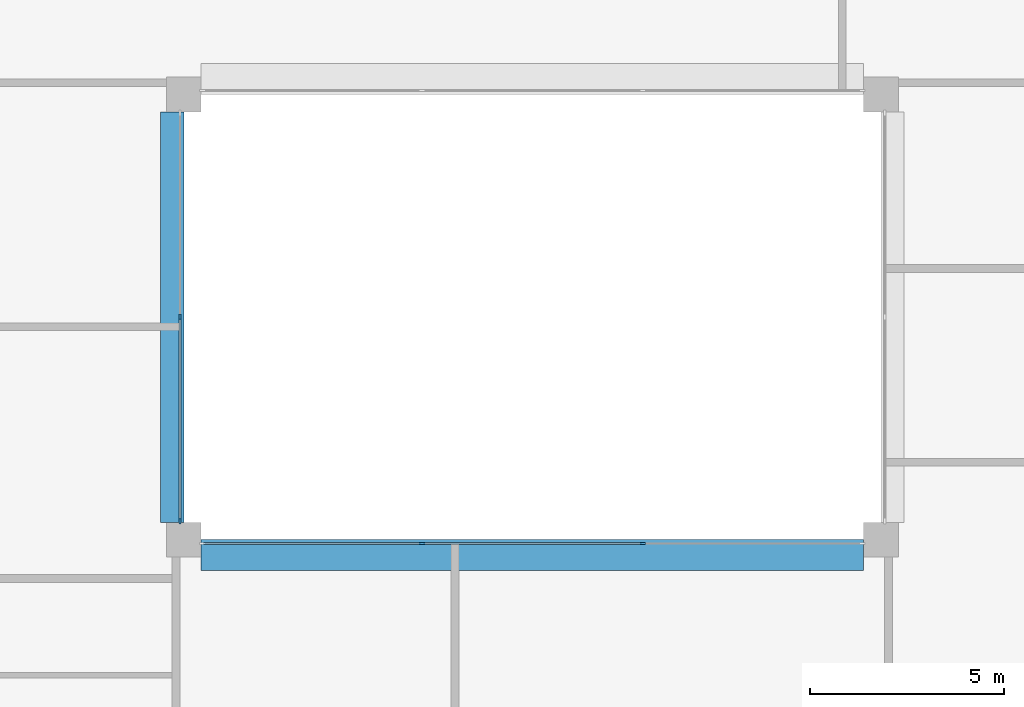
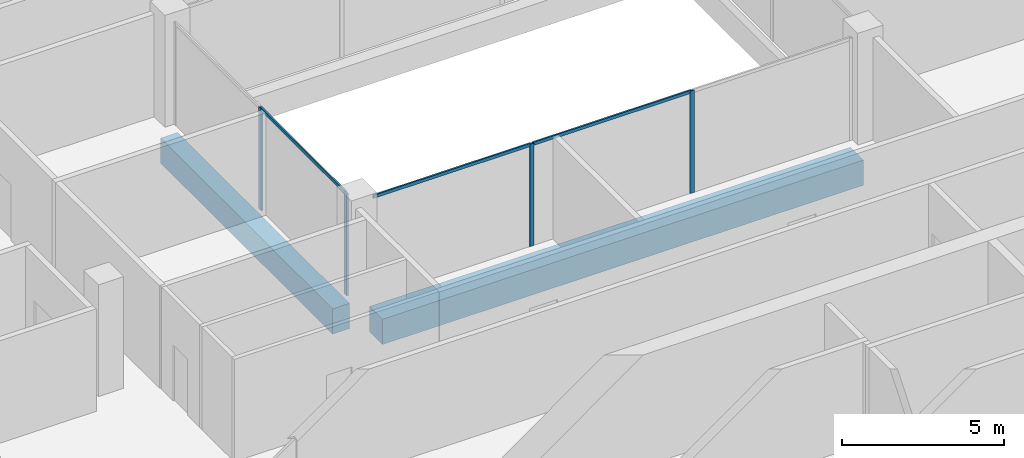
# One storey, part 3 of 15: 7 members, 2 beams, 2 elements without a shape of their own.
"""IFC4 building model written with IfcOpenShell, lengths in metres."""

from ifc_helpers import new_model, si_unit, direction, frame, origin, origin_2d, place, context, subcontext, project, spatial, rectangle, extrude, material, layer, layer_set, material_profile, profile_set, type_object, element, aggregate, save


model = new_model("IFC4")

# Units and contexts
model_context = context("Model", 3, precision=1e-05, world=origin(), true_north=direction((0.0, 1.0)))
body_context = subcontext(model_context, "Body", "Model", "MODEL_VIEW")
ifc_project = project(units=[si_unit("LENGTHUNIT", "METRE"), si_unit("AREAUNIT", "SQUARE_METRE"), si_unit("VOLUMEUNIT", "CUBIC_METRE"), si_unit("PLANEANGLEUNIT", "RADIAN"), si_unit("MASSUNIT", "GRAM", prefix="KILO")], contexts=[model_context])

# Site, building, storey
site_placement = place(None, origin())
site = spatial("IfcSite", under=ifc_project, at=site_placement, CompositionType="ELEMENT")
building_placement = place(site_placement, origin())
building = spatial("IfcBuilding", under=site, at=building_placement, Name="Brigalow Station Residences", CompositionType="ELEMENT")
storey_placement = place(building_placement, frame((0.0, 0.0, 235.800048828125)))
storey = spatial("IfcBuildingStorey", under=building, at=storey_placement, Name="L68", CompositionType="ELEMENT", Elevation=235.800048828125)

# Beams
ifc_material_1 = material(Name="Concrete C65", Category="concrete")
ifc_material_profile_1 = material_profile(ifc_material_1, rectangle(XDim=0.60009765625, YDim=0.949951171875, at=origin_2d()), Name="RC600x950")
ifc_profile_set_1 = profile_set([ifc_material_profile_1], Name="Concrete C65")
beam_type_1 = type_object("IfcBeamType", Name="ATRIUM EDGE GIRDER 600x950 C65", PredefinedType="BEAM", material=ifc_profile_set_1)
beam_1_placement = place(storey_placement, frame((26.699951171875, 24.449951171875, -0.824951171875), z_axis=(0.0, 1.0, 0.0), x_axis=(-1.0, 0.0, 0.0)))
element("IfcBeam", 1, at=beam_1_placement, inside=storey, type_object=beam_type_1, Name="ATRIUM EDGE GIRDER 3 L68", PredefinedType="BEAM", context=body_context, shape_type="SweptSolid", body=[
    extrude(rectangle(XDim=0.60009765625, YDim=0.949951171875, at=origin_2d()), origin(), (0.0, 0.0, 1.0), 10.60009765625),
])
ifc_material_2 = material(Name="Concrete C65", Category="concrete")
ifc_material_profile_2 = material_profile(ifc_material_2, rectangle(XDim=0.800048828125, YDim=0.949951171875, at=origin_2d()), Name="RC800x950")
ifc_profile_set_2 = profile_set([ifc_material_profile_2], Name="Concrete C65")
beam_type_2 = type_object("IfcBeamType", Name="ATRIUM EDGE GIRDER OVER 13.5 M SPAN 800x950 C65", PredefinedType="BEAM", material=ifc_profile_set_2)
beam_2_placement = place(storey_placement, frame((27.449951171875, 23.60009765625, -0.824951171875), z_axis=(1.0, 0.0, 0.0), x_axis=(0.0, 1.0, 0.0)))
element("IfcBeam", 2, at=beam_2_placement, inside=storey, type_object=beam_type_2, Name="ATRIUM EDGE GIRDER C L68", PredefinedType="BEAM", context=body_context, shape_type="SweptSolid", body=[
    extrude(rectangle(XDim=0.800048828125, YDim=0.949951171875, at=origin_2d()), origin(), (0.0, 0.0, 1.0), 17.10009765625),
])

# Curtain wall, members
ifc_material_3 = material(Name="Aluminium", Category="aluminium")
ifc_layer = layer(ifc_material_3, 0.14990234375)
ifc_layer_set = layer_set([ifc_layer], Name="ATRIUM FIRE-RATED GLAZING CURTAIN WALL")
curtain_wall_type = type_object("IfcCurtainWallType", Name="ATRIUM FIRE-RATED GLAZING CURTAIN WALL", PredefinedType="NOTDEFINED", material=ifc_layer_set)
curtain_wall_1_placement = place(storey_placement, origin())
curtain_wall_1 = element("IfcCurtainWall", 3, at=curtain_wall_1_placement, inside=storey, type_object=curtain_wall_type, Name="L68/cw/atrium-S", PredefinedType="NOTDEFINED")
ifc_material_4 = material(Name="Aluminium", Category="aluminium")
ifc_material_profile_3 = material_profile(ifc_material_4, rectangle(XDim=0.06005859375, YDim=0.14990234375, at=origin_2d()), Name="ATRIUM FIRE-RATED GLAZING MULLION 60x150")
ifc_profile_set_3 = profile_set([ifc_material_profile_3], Name="Aluminium")
member_type_1 = type_object("IfcMemberType", Name="ATRIUM FIRE-RATED GLAZING MULLION 60x150", PredefinedType="MULLION", material=ifc_profile_set_3)
member_1_placement = place(storey_placement, frame((33.14990234375, 23.89990234375, 0.0), z_axis=(0.0, 0.0, 1.0), x_axis=(0.0, 1.0, 0.0)))
member_1 = element("IfcMember", 4, at=member_1_placement, type_object=member_type_1, Name="L68/cw/atrium-S/M01", PredefinedType="MULLION", context=body_context, shape_type="SweptSolid", body=[
    extrude(rectangle(XDim=0.06005859375, YDim=0.14990234375, at=origin_2d()), origin(), (0.0, 0.0, 1.0), 3.849853515625),
])
member_2_placement = place(storey_placement, frame((38.85009765625, 23.89990234375, 0.0), z_axis=(0.0, 0.0, 1.0), x_axis=(0.0, 1.0, 0.0)))
member_2 = element("IfcMember", 5, at=member_2_placement, type_object=member_type_1, Name="L68/cw/atrium-S/M02", PredefinedType="MULLION", context=body_context, shape_type="SweptSolid", body=[
    extrude(rectangle(XDim=0.06005859375, YDim=0.14990234375, at=origin_2d()), origin(), (0.0, 0.0, 1.0), 3.849853515625),
])

curtain_wall_2_placement = place(storey_placement, origin())
curtain_wall_2 = element("IfcCurtainWall", 6, at=curtain_wall_2_placement, inside=storey, type_object=curtain_wall_type, Name="L68/cw/atrium-W", PredefinedType="NOTDEFINED")
member_3_placement = place(storey_placement, frame((26.89990234375, 29.75, 0.0), z_axis=(0.0, 0.0, 1.0), x_axis=(1.0, 0.0, 0.0)))
member_3 = element("IfcMember", 7, at=member_3_placement, type_object=member_type_1, Name="L68/cw/atrium-W/M01", PredefinedType="MULLION", context=body_context, shape_type="SweptSolid", body=[
    extrude(rectangle(XDim=0.06005859375, YDim=0.14990234375, at=origin_2d()), origin(), (0.0, 0.0, 1.0), 3.849853515625),
])
member_4_placement = place(storey_placement, frame((26.89990234375, 24.47998046875, 0.0), z_axis=(0.0, 0.0, 1.0), x_axis=(1.0, 0.0, 0.0)))
member_4 = element("IfcMember", 8, at=member_4_placement, type_object=member_type_1, Name="L68/cw/atrium-W/M02", PredefinedType="MULLION", context=body_context, shape_type="SweptSolid", body=[
    extrude(rectangle(XDim=0.06005859375, YDim=0.14990234375, at=origin_2d()), origin(), (0.0, 0.0, 1.0), 3.849853515625),
])

# Member
ifc_material_5 = material(Name="Aluminium", Category="aluminium")
ifc_material_profile_4 = material_profile(ifc_material_5, rectangle(XDim=0.06005859375, YDim=0.1201171875, at=origin_2d()), Name="ATRIUM FIRE-RATED GLAZING TRANSOM 60x120")
ifc_profile_set_4 = profile_set([ifc_material_profile_4], Name="Aluminium")
member_type_2 = type_object("IfcMemberType", Name="ATRIUM FIRE-RATED GLAZING TRANSOM 60x120", PredefinedType="USERDEFINED", material=ifc_profile_set_4)
member_5_placement = place(storey_placement, frame((27.510009765625, 23.89990234375, 3.820068359375), z_axis=(1.0, 0.0, 0.0), x_axis=(0.0, 1.0, 0.0)))
member_5 = element("IfcMember", 9, at=member_5_placement, type_object=member_type_2, Name="L68/cw/atrium-S/T00-00", ObjectType="TRANSOM", PredefinedType="USERDEFINED", context=body_context, shape_type="SweptSolid", body=[
    extrude(rectangle(XDim=0.06005859375, YDim=0.1201171875, at=origin_2d()), origin(), (0.0, 0.0, 1.0), 5.610107421875),
])

member_6_placement = place(storey_placement, frame((33.179931640625, 23.89990234375, 3.820068359375), z_axis=(1.0, 0.0, 0.0), x_axis=(0.0, 1.0, 0.0)))
member_6 = element("IfcMember", 10, at=member_6_placement, type_object=member_type_2, Name="L68/cw/atrium-S/T01-00", ObjectType="TRANSOM", PredefinedType="USERDEFINED", context=body_context, shape_type="SweptSolid", body=[
    extrude(rectangle(XDim=0.06005859375, YDim=0.1201171875, at=origin_2d()), origin(), (0.0, 0.0, 1.0), 5.64013671875),
])

aggregate(curtain_wall_1, [member_1, member_2, member_5, member_6])

member_7_placement = place(storey_placement, frame((26.89990234375, 29.719970703125, 3.820068359375), z_axis=(0.0, -1.0, 0.0), x_axis=(1.0, 0.0, 0.0)))
member_7 = element("IfcMember", 11, at=member_7_placement, type_object=member_type_2, Name="L68/cw/atrium-W/T01-00", ObjectType="TRANSOM", PredefinedType="USERDEFINED", context=body_context, shape_type="SweptSolid", body=[
    extrude(rectangle(XDim=0.06005859375, YDim=0.1201171875, at=origin_2d()), origin(), (0.0, 0.0, 1.0), 5.2099609375),
])

aggregate(curtain_wall_2, [member_3, member_4, member_7])

save(model, "model.ifc")
